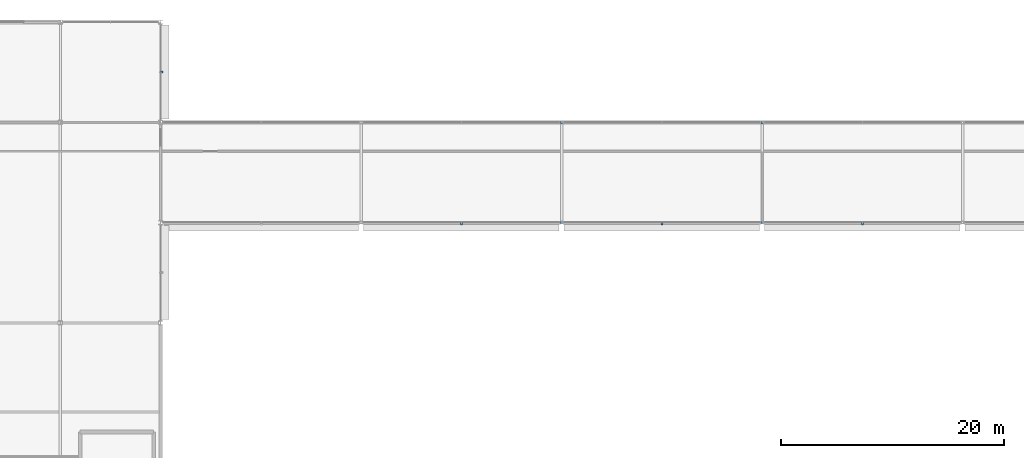
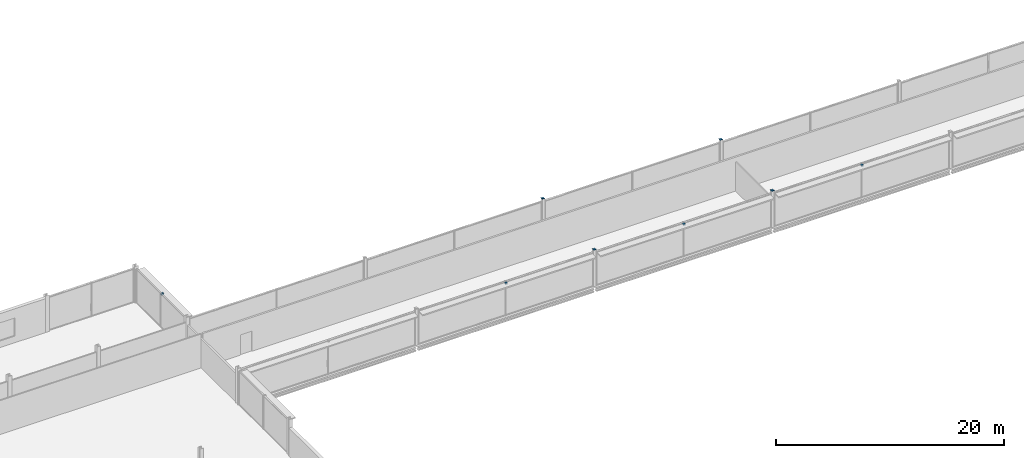
# One storey, part 76 of 98: 8 discrete accessories.
"""IFC4 building model written with IfcOpenShell, lengths in metres."""

from ifc_helpers import new_model, si_unit, direction, frame, origin, origin_2d, place, context, subcontext, project, spatial, polyline, rectangle, outline, extrude, material, layer, layer_set, type_object, element, save


model = new_model("IFC4")

# Units and contexts
model_context = context("Model", 3, precision=1e-05, world=origin(), true_north=direction((0.0, 1.0)))
body_context = subcontext(model_context, "Body", "Model", "MODEL_VIEW")
ifc_project = project(units=[si_unit("LENGTHUNIT", "METRE"), si_unit("AREAUNIT", "SQUARE_METRE"), si_unit("VOLUMEUNIT", "CUBIC_METRE"), si_unit("PLANEANGLEUNIT", "RADIAN"), si_unit("MASSUNIT", "GRAM", prefix="KILO")], contexts=[model_context])

# Site, building, storey
site_placement = place(None, origin())
site = spatial("IfcSite", under=ifc_project, at=site_placement, CompositionType="ELEMENT")
building_placement = place(site_placement, origin())
building = spatial("IfcBuilding", under=site, at=building_placement, Name="Kisiwana Market Hall", CompositionType="ELEMENT")
storey_placement = place(building_placement, frame((0.0, 0.0, 29.39990234375)))
storey = spatial("IfcBuildingStorey", under=building, at=storey_placement, Name="L06", CompositionType="ELEMENT", Elevation=29.39990234375)

# Discrete accessories
ifc_material_1 = material(Name="Steel S355", Category="steel")
discrete_accessory_type_1 = type_object("IfcDiscreteAccessoryType", Name="ACC-BRACKET-STL", PredefinedType="BRACKET", material=ifc_material_1)
for number, where, z_axis, x_axis, name in (
    (1, (72.0, 92.889892578125, 3.41015625), (0.0, 0.0, 1.0), (1.0, 0.0, 0.0), "Sunshade steel bracket BRK-111"),
    (2, (90.0, 92.889892578125, 3.41015625), (0.0, 0.0, 1.0), (1.0, 0.0, 0.0), "Sunshade steel bracket BRK-112"),
    (3, (108.0, 92.889892578125, 3.41015625), (0.0, 0.0, 1.0), (1.0, 0.0, 0.0), "Sunshade steel bracket BRK-113"),
    (4, (45.110107421875, 106.5, 3.41015625), (0.0, 0.0, 1.0), (0.0, 1.0, 0.0), "Sunshade steel bracket BRK-120"),
):
    element("IfcDiscreteAccessory", number, at=place(storey_placement, frame(where, z_axis=z_axis, x_axis=x_axis)), inside=storey, type_object=discrete_accessory_type_1, Name=name, PredefinedType="BRACKET", context=body_context, shape_type="SweptSolid", body=[
        extrude(rectangle(XDim=0.179931640625, YDim=0.239990234375, at=origin_2d()), origin(), (0.0, 0.0, 1.0), 0.179931640625),
    ])
ifc_material_2 = material(Name="Steel S355", Category="steel")
ifc_layer = layer(ifc_material_2, 0.011962890625)
ifc_layer_set = layer_set([ifc_layer], Name="ACC-ENDCAP-STL")
discrete_accessory_type_2 = type_object("IfcDiscreteAccessoryType", Name="ACC-ENDCAP-STL", PredefinedType="USERDEFINED", material=ifc_layer_set)
discrete_accessory_1_placement = place(storey_placement, frame((0.0, 0.0, 3.900146484375)))
element("IfcDiscreteAccessory", 5, at=discrete_accessory_1_placement, inside=storey, type_object=discrete_accessory_type_2, Name="End cap plate EC-0007", ObjectType="End cap plate", PredefinedType="USERDEFINED", context=body_context, shape_type="SweptSolid", body=[
    extrude(outline(polyline([(80.875, 92.875), (81.125, 92.875), (81.125, 93.125), (80.875, 93.125), (80.875, 92.875)])), origin(), (0.0, 0.0, 1.0), 0.011962890625),
])
discrete_accessory_2_placement = place(storey_placement, frame((0.0, 0.0, 3.900146484375)))
element("IfcDiscreteAccessory", 6, at=discrete_accessory_2_placement, inside=storey, type_object=discrete_accessory_type_2, Name="End cap plate EC-0008", ObjectType="End cap plate", PredefinedType="USERDEFINED", context=body_context, shape_type="SweptSolid", body=[
    extrude(outline(polyline([(80.875, 101.875), (81.125, 101.875), (81.125, 102.125), (80.875, 102.125), (80.875, 101.875)])), origin(), (0.0, 0.0, 1.0), 0.011962890625),
])
discrete_accessory_3_placement = place(storey_placement, frame((0.0, 0.0, 3.900146484375)))
element("IfcDiscreteAccessory", 7, at=discrete_accessory_3_placement, inside=storey, type_object=discrete_accessory_type_2, Name="End cap plate EC-0009", ObjectType="End cap plate", PredefinedType="USERDEFINED", context=body_context, shape_type="SweptSolid", body=[
    extrude(outline(polyline([(98.875, 92.875), (99.125, 92.875), (99.125, 93.125), (98.875, 93.125), (98.875, 92.875)])), origin(), (0.0, 0.0, 1.0), 0.011962890625),
])
discrete_accessory_4_placement = place(storey_placement, frame((0.0, 0.0, 3.900146484375)))
element("IfcDiscreteAccessory", 8, at=discrete_accessory_4_placement, inside=storey, type_object=discrete_accessory_type_2, Name="End cap plate EC-0010", ObjectType="End cap plate", PredefinedType="USERDEFINED", context=body_context, shape_type="SweptSolid", body=[
    extrude(outline(polyline([(98.875, 101.875), (99.125, 101.875), (99.125, 102.125), (98.875, 102.125), (98.875, 101.875)])), origin(), (0.0, 0.0, 1.0), 0.011962890625),
])

save(model, "model.ifc")
